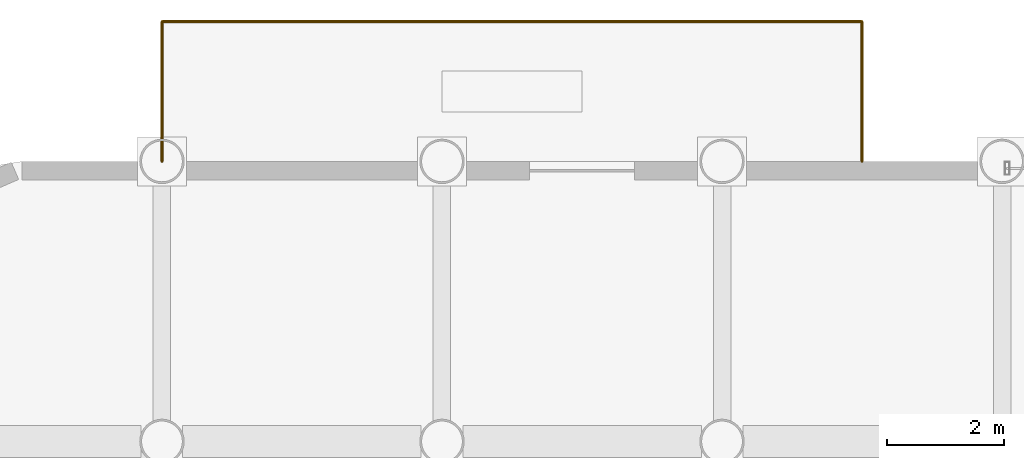
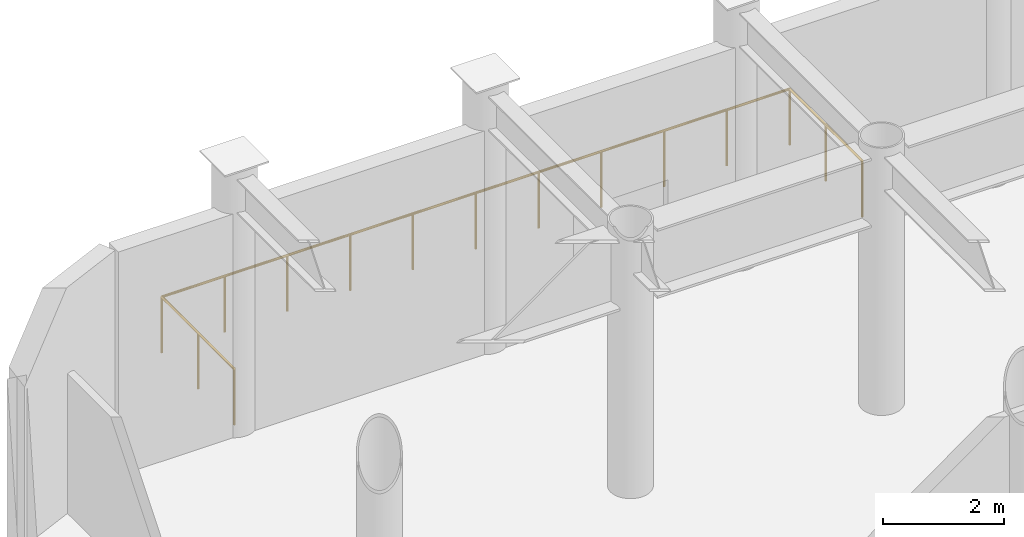
# One storey, part 20 of 20: 3 railings.
"""IFC4 building model written with IfcOpenShell, lengths in metres."""

from ifc_helpers import new_model, si_unit, direction, frame, origin, origin_2d, place, context, subcontext, project, spatial, circle, extrude, material, layer, layer_set, type_object, element, save


model = new_model("IFC4")

# Units and contexts
model_context = context("Model", 3, precision=1e-05, world=origin(), true_north=direction((0.0, 1.0)))
body_context = subcontext(model_context, "Body", "Model", "MODEL_VIEW")
ifc_project = project(units=[si_unit("LENGTHUNIT", "METRE"), si_unit("AREAUNIT", "SQUARE_METRE"), si_unit("VOLUMEUNIT", "CUBIC_METRE"), si_unit("PLANEANGLEUNIT", "RADIAN"), si_unit("MASSUNIT", "GRAM", prefix="KILO")], contexts=[model_context])

# Site, building, storey
site_placement = place(None, origin())
site = spatial("IfcSite", under=ifc_project, at=site_placement, CompositionType="ELEMENT")
building_placement = place(site_placement, origin())
building = spatial("IfcBuilding", under=site, at=building_placement, Name="Kallvorn Hotel Tower", CompositionType="ELEMENT")
storey_placement = place(building_placement, frame((0.0, 0.0, 24.60009765625)))
storey = spatial("IfcBuildingStorey", under=building, at=storey_placement, Name="L04", CompositionType="ELEMENT", Elevation=24.60009765625)

# Railings
ifc_material = material(Name="Galvanised painted steel S275JR balustrade", Category="steel")
ifc_layer = layer(ifc_material, 0.06005859375)
ifc_layer_set = layer_set([ifc_layer], Name="RL_BALUSTRADE_1150")
railing_type = type_object("IfcRailingType", Name="RL_BALUSTRADE_1150", PredefinedType="BALUSTRADE", material=ifc_layer_set)
railing_1_placement = place(storey_placement, frame((-28.800048828125, 24.0, 0.0)))
element("IfcRailing", 1, at=railing_1_placement, inside=storey, type_object=railing_type, Name="L04 Exterior Safety Guardrail TER-L04-N-01", PredefinedType="BALUSTRADE", context=body_context, shape_type="SweptSolid", body=[
    extrude(circle(Radius=0.02392578125, at=origin_2d()), frame((0.0, 0.0, 1.1259765625), z_axis=(0.0, 1.0, 0.0), x_axis=(-1.0, 0.0, 0.0)), (0.0, 0.0, 1.0), 2.39990234375),
    extrude(circle(Radius=0.02099609375, at=origin_2d()), origin(), (0.0, 0.0, 1.0), 1.101806640625),
    extrude(circle(Radius=0.02099609375, at=origin_2d()), frame((0.0, 1.199951171875, 0.0)), (0.0, 0.0, 1.0), 1.101806640625),
    extrude(circle(Radius=0.02099609375, at=origin_2d()), frame((0.0, 2.39990234375, 0.0)), (0.0, 0.0, 1.0), 1.101806640625),
])
railing_2_placement = place(storey_placement, frame((-28.800048828125, 26.39990234375, 0.0)))
element("IfcRailing", 2, at=railing_2_placement, inside=storey, type_object=railing_type, Name="L04 Exterior Safety Guardrail TER-L04-N-02", PredefinedType="BALUSTRADE", context=body_context, shape_type="SweptSolid", body=[
    extrude(circle(Radius=0.02392578125, at=origin_2d()), frame((0.0, 0.0, 1.1259765625), z_axis=(1.0, 0.0, 0.0), x_axis=(0.0, 1.0, 0.0)), (0.0, 0.0, 1.0), 12.0),
    extrude(circle(Radius=0.02099609375, at=origin_2d()), origin(), (0.0, 0.0, 1.0), 1.101806640625),
    extrude(circle(Radius=0.02099609375, at=origin_2d()), frame((1.199951171875, 0.0, 0.0)), (0.0, 0.0, 1.0), 1.101806640625),
    extrude(circle(Radius=0.02099609375, at=origin_2d()), frame((2.39990234375, 0.0, 0.0)), (0.0, 0.0, 1.0), 1.101806640625),
    extrude(circle(Radius=0.02099609375, at=origin_2d()), frame((3.60009765625, 0.0, 0.0)), (0.0, 0.0, 1.0), 1.101806640625),
    extrude(circle(Radius=0.02099609375, at=origin_2d()), frame((4.800048828125, 0.0, 0.0)), (0.0, 0.0, 1.0), 1.101806640625),
    extrude(circle(Radius=0.02099609375, at=origin_2d()), frame((6.0, 0.0, 0.0)), (0.0, 0.0, 1.0), 1.101806640625),
    extrude(circle(Radius=0.02099609375, at=origin_2d()), frame((7.199951171875, 0.0, 0.0)), (0.0, 0.0, 1.0), 1.101806640625),
    extrude(circle(Radius=0.02099609375, at=origin_2d()), frame((8.39990234375, 0.0, 0.0)), (0.0, 0.0, 1.0), 1.101806640625),
    extrude(circle(Radius=0.02099609375, at=origin_2d()), frame((9.60009765625, 0.0, 0.0)), (0.0, 0.0, 1.0), 1.101806640625),
    extrude(circle(Radius=0.02099609375, at=origin_2d()), frame((10.800048828125, 0.0, 0.0)), (0.0, 0.0, 1.0), 1.101806640625),
    extrude(circle(Radius=0.02099609375, at=origin_2d()), frame((12.0, 0.0, 0.0)), (0.0, 0.0, 1.0), 1.101806640625),
])
railing_3_placement = place(storey_placement, frame((-16.800048828125, 26.39990234375, 0.0)))
element("IfcRailing", 3, at=railing_3_placement, inside=storey, type_object=railing_type, Name="L04 Exterior Safety Guardrail TER-L04-N-03", PredefinedType="BALUSTRADE", context=body_context, shape_type="SweptSolid", body=[
    extrude(circle(Radius=0.02392578125, at=origin_2d()), frame((0.0, 0.0, 1.1259765625), z_axis=(0.0, -1.0, 0.0), x_axis=(1.0, 0.0, 0.0)), (0.0, 0.0, 1.0), 2.39990234375),
    extrude(circle(Radius=0.02099609375, at=origin_2d()), origin(), (0.0, 0.0, 1.0), 1.101806640625),
    extrude(circle(Radius=0.02099609375, at=origin_2d()), frame((0.0, -1.199951171875, 0.0)), (0.0, 0.0, 1.0), 1.101806640625),
    extrude(circle(Radius=0.02099609375, at=origin_2d()), frame((0.0, -2.39990234375, 0.0)), (0.0, 0.0, 1.0), 1.101806640625),
])

save(model, "model.ifc")
